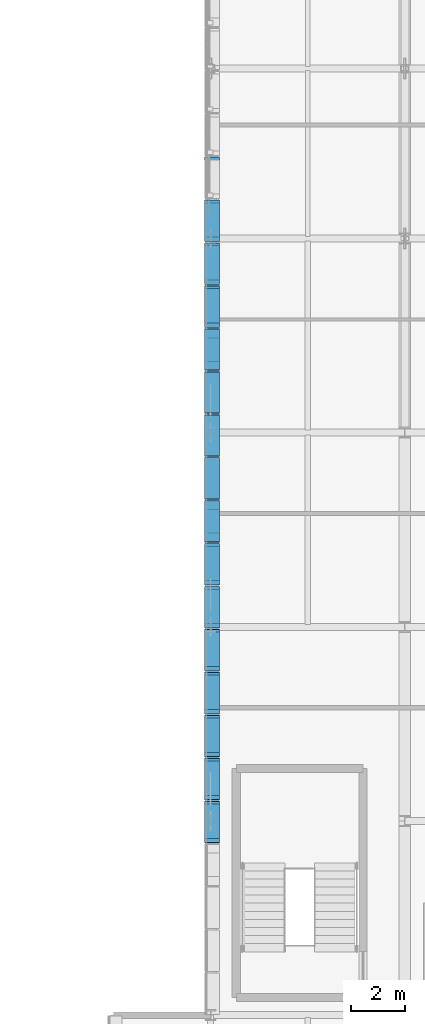
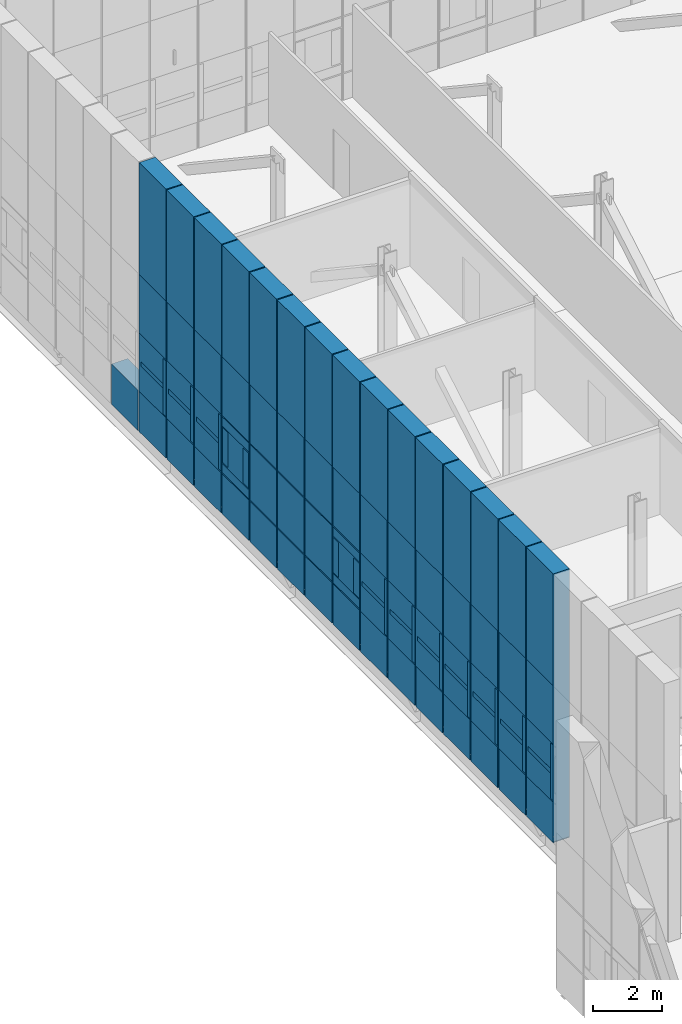
# One storey, part 117 of 144: 77 discrete accessories.
"""IFC4 building model written with IfcOpenShell, lengths in metres."""

import ifcopenshell
import ifcopenshell.guid

model = None  # the IFC model being written
_history = None  # IfcOwnerHistory: only IFC2X3 demands one
_inside = {}  # id of a spatial element -> (the spatial element, [elements in it])
_under = {}  # id of a project, library or spatial element -> (it, [spatial elements below it])
_declared = {}  # id of a project -> (the project, [libraries it declares])
_typed = {}  # id of a type object -> (the type object, [elements of that type])
_made_of = {}  # id of a material, layer set ... -> (it, [elements and type objects made of it])


def new_model(schema):
    """Start an empty IFC model of exactly this schema.

    Asked for "IFC4X3", IfcOpenShell would pick the latest addendum, in which some entities
    have other attributes; the version numbers below select the first issue.
    IFC2X3 requires an IfcOwnerHistory on every rooted entity: one is made here for all.
    """
    global model, _history
    if schema == "IFC4X3":
        model = ifcopenshell.file(schema_version=(4, 3, 0, 0))
    else:
        model = ifcopenshell.file(schema=schema)
    _inside.clear()
    _under.clear()
    _declared.clear()
    _typed.clear()
    _made_of.clear()
    _history = None
    if model.schema == "IFC2X3":
        org = make("IfcOrganization", Name="unknown")
        user = make(
            "IfcPersonAndOrganization",
            ThePerson=make("IfcPerson", FamilyName="unknown"),
            TheOrganization=org,
        )
        app = make(
            "IfcApplication",
            ApplicationDeveloper=org,
            Version="unknown",
            ApplicationFullName="unknown",
            ApplicationIdentifier="unknown",
        )
        _history = make(
            "IfcOwnerHistory",
            OwningUser=user,
            OwningApplication=app,
            ChangeAction="ADDED",
            CreationDate=0,
        )
    return model


def make(cls, **values):
    """One entity of the class cls with the attributes given. An attribute that is None is left unset."""
    return model.create_entity(
        cls, **{name: value for name, value in values.items() if value is not None}
    )


def rooted(cls, **values):
    """An entity with a GlobalId (a new one), such as an element, a storey or a relation."""
    return make(cls, GlobalId=ifcopenshell.guid.new(), OwnerHistory=_history, **values)


def si_unit(unit_type, name, prefix=None):
    """IfcSIUnit, for example si_unit("LENGTHUNIT", "METRE", prefix="MILLI")."""
    return make("IfcSIUnit", UnitType=unit_type, Prefix=prefix, Name=name)


def assignment(units):
    """IfcUnitAssignment: the units of a project."""
    return None if units is None else make("IfcUnitAssignment", Units=units)


def point(xyz):
    """IfcCartesianPoint."""
    return None if xyz is None else make("IfcCartesianPoint", Coordinates=xyz)


def direction(xyz):
    """IfcDirection."""
    return None if xyz is None else make("IfcDirection", DirectionRatios=xyz)


def frame(location, z_axis=None, x_axis=None):
    """IfcAxis2Placement3D, a coordinate frame: its origin and axes. An axis left out is left unset."""
    return make(
        "IfcAxis2Placement3D",
        Location=point(location),
        Axis=direction(z_axis),
        RefDirection=direction(x_axis),
    )


def frame_2d(location, x_axis=None):
    """IfcAxis2Placement2D, a coordinate frame in the plane: its origin and x axis."""
    return make(
        "IfcAxis2Placement2D", Location=point(location), RefDirection=direction(x_axis)
    )


def origin():
    """The frame at (0, 0, 0) with its axes left unset."""
    return frame((0.0, 0.0, 0.0))


def origin_2d():
    """The frame at (0, 0) in the plane with its x axis left unset."""
    return frame_2d((0.0, 0.0))


def place(relative_to, where):
    """IfcLocalPlacement: puts the frame where relative to a parent placement (None: the world)."""
    return make(
        "IfcLocalPlacement", PlacementRelTo=relative_to, RelativePlacement=where
    )


def context(
    kind, dimensions, precision=None, world=None, true_north=None, identifier=None
):
    """IfcGeometricRepresentationContext, for example the 3D "Model" context."""
    return make(
        "IfcGeometricRepresentationContext",
        ContextIdentifier=identifier,
        ContextType=kind,
        CoordinateSpaceDimension=dimensions,
        Precision=precision,
        WorldCoordinateSystem=world,
        TrueNorth=true_north,
    )


def subcontext(parent, identifier, kind, view, scale=None):
    """IfcGeometricRepresentationSubContext, for example "Body" below "Model"."""
    return make(
        "IfcGeometricRepresentationSubContext",
        ContextIdentifier=identifier,
        ContextType=kind,
        ParentContext=parent,
        TargetScale=scale,
        TargetView=view,
    )


def project(units=None, contexts=None):
    """IfcProject with its units and contexts."""
    return rooted(
        "IfcProject",
        Name="project",
        RepresentationContexts=contexts,
        UnitsInContext=assignment(units),
    )


def spatial(cls, under=None, at=None, **own):
    """A site, building, storey or space (cls), placed at a placement, below another one or the project."""
    s = rooted(cls, ObjectPlacement=at, **own)
    if under is not None:
        _under.setdefault(under.id(), (under, []))[1].append(s)
    return s


def profile(cls, at=None, kind="AREA", **sizes):
    """A parametric profile (cls). Its sizes go by their IFC names, for example OverallWidth=200.0."""
    return make(cls, ProfileType=kind, Position=at, **sizes)


def rectangle(**sizes):
    """IfcRectangleProfileDef."""
    return profile("IfcRectangleProfileDef", **sizes)


def extrude(swept, where, along, depth):
    """IfcExtrudedAreaSolid: the profile swept, set in the frame where, extruded along a direction by depth."""
    return make(
        "IfcExtrudedAreaSolid",
        SweptArea=swept,
        Position=where,
        ExtrudedDirection=direction(along),
        Depth=depth,
    )


def shape(context_of_items, identifier, shape_type, items):
    """IfcShapeRepresentation: the items that make up one representation, for example the "Body"."""
    return make(
        "IfcShapeRepresentation",
        ContextOfItems=context_of_items,
        RepresentationIdentifier=identifier,
        RepresentationType=shape_type,
        Items=items,
    )


def material(Name=None, Category=None):
    """IfcMaterial."""
    return make("IfcMaterial", Name=Name, Category=Category)


def made_of(thing, what):
    """Note that an element or type object is made of a material, layer set ...; save() writes the relation."""
    if what is not None:
        _made_of.setdefault(what.id(), (what, []))[1].append(thing)
    return thing


def type_object(cls, material=None, **own):
    """A type object (cls), such as IfcWallType, which elements share."""
    return made_of(rooted(cls, **own), material)


def element(
    cls,
    number,
    at=None,
    inside=None,
    cuts=None,
    type_object=None,
    material=None,
    context=None,
    identifier="Body",
    shape_type=None,
    held_by="IfcProductDefinitionShape",
    body=None,
    shapes=None,
    **own,
):
    """One element of the class cls, such as IfcWall. Its Tag is "e" and its number.

    at: its placement. inside: the storey or other place that contains it. cuts: it is an
    opening in that element (IfcRelVoidsElement). A single representation is given by context,
    identifier, shape_type and body (its items); several are given by shapes. held_by: the class
    of the entity that holds the representations. save() writes the other relations.
    """
    e = rooted(cls, Tag="e%d" % number, ObjectPlacement=at, **own)
    if body is not None:
        shapes = [shape(context, identifier, shape_type, body)]
    if shapes is not None:
        e.Representation = make(held_by, Representations=shapes)
    if inside is not None:
        _inside.setdefault(inside.id(), (inside, []))[1].append(e)
    if cuts is not None:
        rooted(
            "IfcRelVoidsElement", RelatingBuildingElement=cuts, RelatedOpeningElement=e
        )
    if type_object is not None:
        _typed.setdefault(type_object.id(), (type_object, []))[1].append(e)
    return made_of(e, material)


def aggregate(whole, parts):
    """IfcRelAggregates: a whole, such as a stair, and the parts it consists of."""
    return rooted("IfcRelAggregates", RelatingObject=whole, RelatedObjects=parts)


def save(model, path):
    """Write the relations noted so far, then the file.

    IfcRelAggregates (storeys below a building ...), IfcRelContainedInSpatialStructure (elements
    in a storey), IfcRelDefinesByType, IfcRelAssociatesMaterial and IfcRelDeclares: one each for
    every whole, place, type object, material and project.
    """
    for whole, parts in _under.values():
        aggregate(whole, parts)
    for where, things in _inside.values():
        rooted(
            "IfcRelContainedInSpatialStructure",
            RelatedElements=things,
            RelatingStructure=where,
        )
    for kind, things in _typed.values():
        rooted("IfcRelDefinesByType", RelatedObjects=things, RelatingType=kind)
    for what, things in _made_of.values():
        rooted("IfcRelAssociatesMaterial", RelatedObjects=things, RelatingMaterial=what)
    for by, libraries in _declared.values():
        rooted("IfcRelDeclares", RelatingContext=by, RelatedDefinitions=libraries)
    model.write(path)


model = new_model("IFC4")

# Units and contexts
model_context = context("Model", 3, precision=1e-05, world=origin(), true_north=direction((0.0, 1.0)))
body_context = subcontext(model_context, "Body", "Model", "MODEL_VIEW")
ifc_project = project(units=[si_unit("LENGTHUNIT", "METRE"), si_unit("AREAUNIT", "SQUARE_METRE"), si_unit("VOLUMEUNIT", "CUBIC_METRE"), si_unit("PLANEANGLEUNIT", "RADIAN"), si_unit("MASSUNIT", "GRAM", prefix="KILO")], contexts=[model_context])

# Site, building, storey
site_placement = place(None, origin())
site = spatial("IfcSite", under=ifc_project, at=site_placement, CompositionType="ELEMENT")
building_placement = place(site_placement, origin())
building = spatial("IfcBuilding", under=site, at=building_placement, Name="Yarey Park Central Fire Station", CompositionType="ELEMENT")
storey_placement = place(building_placement, frame((0.0, 0.0, 10.199951171875)))
storey = spatial("IfcBuildingStorey", under=building, at=storey_placement, Name="L03", CompositionType="ELEMENT", Elevation=10.199951171875)

# Discrete accessories
ifc_material = material(Name="Stainless Steel AISI 316L", Category="steel")
discrete_accessory_type = type_object("IfcDiscreteAccessoryType", Name="ENV_BRK_SS1", PredefinedType="BRACKET", material=ifc_material)
discrete_accessory_1_placement = place(storey_placement, frame((28.85009765625, 64.765380859375, -0.494873046875), z_axis=(0.0, 0.0, 1.0), x_axis=(1.0, 0.0, 0.0)))
element("IfcDiscreteAccessory", 1, at=discrete_accessory_1_placement, inside=storey, type_object=discrete_accessory_type, Name="BRK_PERF_L03_0627", PredefinedType="BRACKET", context=body_context, shape_type="SweptSolid", body=[
    extrude(rectangle(XDim=0.5400390625, YDim=1.5322265625, at=origin_2d()), origin(), (0.0, 0.0, 1.0), 1.419921875),
])
discrete_accessory_2_placement = place(storey_placement, frame((28.85009765625, 64.079345703125, 0.97509765625), z_axis=(0.0, 0.0, 1.0), x_axis=(1.0, 0.0, 0.0)))
element("IfcDiscreteAccessory", 2, at=discrete_accessory_2_placement, inside=storey, type_object=discrete_accessory_type, Name="BRK_PERF_L03_0628", PredefinedType="BRACKET", context=body_context, shape_type="SweptSolid", body=[
    extrude(rectangle(XDim=0.5400390625, YDim=0.159912109375, at=origin_2d()), origin(), (0.0, 0.0, 1.0), 1.949951171875),
])
discrete_accessory_3_placement = place(storey_placement, frame((28.85009765625, 64.765380859375, 1.8701171875), z_axis=(0.0, 0.0, 1.0), x_axis=(1.0, 0.0, 0.0)))
element("IfcDiscreteAccessory", 3, at=discrete_accessory_3_placement, inside=storey, type_object=discrete_accessory_type, Name="BRK_PERF_L03_0629", PredefinedType="BRACKET", context=body_context, shape_type="SweptSolid", body=[
    extrude(rectangle(XDim=0.5400390625, YDim=1.332275390625, at=origin_2d()), origin(), (0.0, 0.0, 1.0), 0.159912109375),
])
discrete_accessory_4_placement = place(storey_placement, frame((28.85009765625, 64.765380859375, 2.97509765625), z_axis=(0.0, 0.0, 1.0), x_axis=(1.0, 0.0, 0.0)))
element("IfcDiscreteAccessory", 4, at=discrete_accessory_4_placement, inside=storey, type_object=discrete_accessory_type, Name="BRK_PERF_L03_0630", PredefinedType="BRACKET", context=body_context, shape_type="SweptSolid", body=[
    extrude(rectangle(XDim=0.5400390625, YDim=1.5322265625, at=origin_2d()), origin(), (0.0, 0.0, 1.0), 2.050048828125),
])
discrete_accessory_5_placement = place(storey_placement, frame((28.85009765625, 64.765380859375, -0.4599609375), z_axis=(0.0, 0.0, 1.0), x_axis=(1.0, 0.0, 0.0)))
element("IfcDiscreteAccessory", 5, at=discrete_accessory_5_placement, inside=storey, type_object=discrete_accessory_type, Name="BRK_RAIL_L03_0633", PredefinedType="BRACKET", context=body_context, shape_type="SweptSolid", body=[
    extrude(rectangle(XDim=0.5400390625, YDim=1.55224609375, at=origin_2d()), origin(), (0.0, 0.0, 1.0), 9.419921875),
])
discrete_accessory_6_placement = place(storey_placement, frame((28.85009765625, 66.357666015625, -0.494873046875), z_axis=(0.0, 0.0, 1.0), x_axis=(1.0, 0.0, 0.0)))
element("IfcDiscreteAccessory", 6, at=discrete_accessory_6_placement, inside=storey, type_object=discrete_accessory_type, Name="BRK_PERF_L03_0634", PredefinedType="BRACKET", context=body_context, shape_type="SweptSolid", body=[
    extrude(rectangle(XDim=0.5400390625, YDim=1.5322265625, at=origin_2d()), origin(), (0.0, 0.0, 1.0), 1.419921875),
])
discrete_accessory_7_placement = place(storey_placement, frame((28.85009765625, 65.67138671875, 0.97509765625), z_axis=(0.0, 0.0, 1.0), x_axis=(1.0, 0.0, 0.0)))
element("IfcDiscreteAccessory", 7, at=discrete_accessory_7_placement, inside=storey, type_object=discrete_accessory_type, Name="BRK_PERF_L03_0635", PredefinedType="BRACKET", context=body_context, shape_type="SweptSolid", body=[
    extrude(rectangle(XDim=0.5400390625, YDim=0.159912109375, at=origin_2d()), origin(), (0.0, 0.0, 1.0), 1.949951171875),
])
discrete_accessory_8_placement = place(storey_placement, frame((28.85009765625, 66.357666015625, 1.8701171875), z_axis=(0.0, 0.0, 1.0), x_axis=(1.0, 0.0, 0.0)))
element("IfcDiscreteAccessory", 8, at=discrete_accessory_8_placement, inside=storey, type_object=discrete_accessory_type, Name="BRK_PERF_L03_0636", PredefinedType="BRACKET", context=body_context, shape_type="SweptSolid", body=[
    extrude(rectangle(XDim=0.5400390625, YDim=1.332275390625, at=origin_2d()), origin(), (0.0, 0.0, 1.0), 0.159912109375),
])
discrete_accessory_9_placement = place(storey_placement, frame((28.85009765625, 66.357666015625, 2.97509765625), z_axis=(0.0, 0.0, 1.0), x_axis=(1.0, 0.0, 0.0)))
element("IfcDiscreteAccessory", 9, at=discrete_accessory_9_placement, inside=storey, type_object=discrete_accessory_type, Name="BRK_PERF_L03_0637", PredefinedType="BRACKET", context=body_context, shape_type="SweptSolid", body=[
    extrude(rectangle(XDim=0.5400390625, YDim=1.5322265625, at=origin_2d()), origin(), (0.0, 0.0, 1.0), 2.050048828125),
])
discrete_accessory_10_placement = place(storey_placement, frame((28.85009765625, 66.357666015625, -0.4599609375), z_axis=(0.0, 0.0, 1.0), x_axis=(1.0, 0.0, 0.0)))
element("IfcDiscreteAccessory", 10, at=discrete_accessory_10_placement, inside=storey, type_object=discrete_accessory_type, Name="BRK_RAIL_L03_0640", PredefinedType="BRACKET", context=body_context, shape_type="SweptSolid", body=[
    extrude(rectangle(XDim=0.5400390625, YDim=1.55224609375, at=origin_2d()), origin(), (0.0, 0.0, 1.0), 9.419921875),
])
discrete_accessory_11_placement = place(storey_placement, frame((28.85009765625, 67.949951171875, -0.494873046875), z_axis=(0.0, 0.0, 1.0), x_axis=(1.0, 0.0, 0.0)))
element("IfcDiscreteAccessory", 11, at=discrete_accessory_11_placement, inside=storey, type_object=discrete_accessory_type, Name="BRK_PERF_L03_0641", PredefinedType="BRACKET", context=body_context, shape_type="SweptSolid", body=[
    extrude(rectangle(XDim=0.5400390625, YDim=1.5322265625, at=origin_2d()), origin(), (0.0, 0.0, 1.0), 1.419921875),
])
discrete_accessory_12_placement = place(storey_placement, frame((28.85009765625, 67.263916015625, 0.97509765625), z_axis=(0.0, 0.0, 1.0), x_axis=(1.0, 0.0, 0.0)))
element("IfcDiscreteAccessory", 12, at=discrete_accessory_12_placement, inside=storey, type_object=discrete_accessory_type, Name="BRK_PERF_L03_0642", PredefinedType="BRACKET", context=body_context, shape_type="SweptSolid", body=[
    extrude(rectangle(XDim=0.5400390625, YDim=0.159912109375, at=origin_2d()), origin(), (0.0, 0.0, 1.0), 1.949951171875),
])
discrete_accessory_13_placement = place(storey_placement, frame((28.85009765625, 67.949951171875, 1.8701171875), z_axis=(0.0, 0.0, 1.0), x_axis=(1.0, 0.0, 0.0)))
element("IfcDiscreteAccessory", 13, at=discrete_accessory_13_placement, inside=storey, type_object=discrete_accessory_type, Name="BRK_PERF_L03_0643", PredefinedType="BRACKET", context=body_context, shape_type="SweptSolid", body=[
    extrude(rectangle(XDim=0.5400390625, YDim=1.332275390625, at=origin_2d()), origin(), (0.0, 0.0, 1.0), 0.159912109375),
])
discrete_accessory_14_placement = place(storey_placement, frame((28.85009765625, 67.949951171875, 2.97509765625), z_axis=(0.0, 0.0, 1.0), x_axis=(1.0, 0.0, 0.0)))
element("IfcDiscreteAccessory", 14, at=discrete_accessory_14_placement, inside=storey, type_object=discrete_accessory_type, Name="BRK_PERF_L03_0644", PredefinedType="BRACKET", context=body_context, shape_type="SweptSolid", body=[
    extrude(rectangle(XDim=0.5400390625, YDim=1.5322265625, at=origin_2d()), origin(), (0.0, 0.0, 1.0), 2.050048828125),
])
discrete_accessory_15_placement = place(storey_placement, frame((28.85009765625, 67.949951171875, -0.4599609375), z_axis=(0.0, 0.0, 1.0), x_axis=(1.0, 0.0, 0.0)))
element("IfcDiscreteAccessory", 15, at=discrete_accessory_15_placement, inside=storey, type_object=discrete_accessory_type, Name="BRK_RAIL_L03_0647", PredefinedType="BRACKET", context=body_context, shape_type="SweptSolid", body=[
    extrude(rectangle(XDim=0.5400390625, YDim=1.55224609375, at=origin_2d()), origin(), (0.0, 0.0, 1.0), 9.419921875),
])
discrete_accessory_16_placement = place(storey_placement, frame((28.85009765625, 69.542236328125, -0.494873046875), z_axis=(0.0, 0.0, 1.0), x_axis=(1.0, 0.0, 0.0)))
element("IfcDiscreteAccessory", 16, at=discrete_accessory_16_placement, inside=storey, type_object=discrete_accessory_type, Name="BRK_PERF_L03_0648", PredefinedType="BRACKET", context=body_context, shape_type="SweptSolid", body=[
    extrude(rectangle(XDim=0.5400390625, YDim=1.5322265625, at=origin_2d()), origin(), (0.0, 0.0, 1.0), 1.419921875),
])
discrete_accessory_17_placement = place(storey_placement, frame((28.85009765625, 68.856201171875, 0.97509765625), z_axis=(0.0, 0.0, 1.0), x_axis=(1.0, 0.0, 0.0)))
element("IfcDiscreteAccessory", 17, at=discrete_accessory_17_placement, inside=storey, type_object=discrete_accessory_type, Name="BRK_PERF_L03_0649", PredefinedType="BRACKET", context=body_context, shape_type="SweptSolid", body=[
    extrude(rectangle(XDim=0.5400390625, YDim=0.159912109375, at=origin_2d()), origin(), (0.0, 0.0, 1.0), 1.949951171875),
])
discrete_accessory_18_placement = place(storey_placement, frame((28.85009765625, 69.542236328125, 1.8701171875), z_axis=(0.0, 0.0, 1.0), x_axis=(1.0, 0.0, 0.0)))
element("IfcDiscreteAccessory", 18, at=discrete_accessory_18_placement, inside=storey, type_object=discrete_accessory_type, Name="BRK_PERF_L03_0650", PredefinedType="BRACKET", context=body_context, shape_type="SweptSolid", body=[
    extrude(rectangle(XDim=0.5400390625, YDim=1.332275390625, at=origin_2d()), origin(), (0.0, 0.0, 1.0), 0.159912109375),
])
discrete_accessory_19_placement = place(storey_placement, frame((28.85009765625, 69.542236328125, 2.97509765625), z_axis=(0.0, 0.0, 1.0), x_axis=(1.0, 0.0, 0.0)))
element("IfcDiscreteAccessory", 19, at=discrete_accessory_19_placement, inside=storey, type_object=discrete_accessory_type, Name="BRK_PERF_L03_0651", PredefinedType="BRACKET", context=body_context, shape_type="SweptSolid", body=[
    extrude(rectangle(XDim=0.5400390625, YDim=1.5322265625, at=origin_2d()), origin(), (0.0, 0.0, 1.0), 2.050048828125),
])
discrete_accessory_20_placement = place(storey_placement, frame((28.85009765625, 69.542236328125, -0.4599609375), z_axis=(0.0, 0.0, 1.0), x_axis=(1.0, 0.0, 0.0)))
element("IfcDiscreteAccessory", 20, at=discrete_accessory_20_placement, inside=storey, type_object=discrete_accessory_type, Name="BRK_RAIL_L03_0654", PredefinedType="BRACKET", context=body_context, shape_type="SweptSolid", body=[
    extrude(rectangle(XDim=0.5400390625, YDim=1.55224609375, at=origin_2d()), origin(), (0.0, 0.0, 1.0), 9.419921875),
])
discrete_accessory_21_placement = place(storey_placement, frame((28.85009765625, 71.134521484375, -0.494873046875), z_axis=(0.0, 0.0, 1.0), x_axis=(1.0, 0.0, 0.0)))
element("IfcDiscreteAccessory", 21, at=discrete_accessory_21_placement, inside=storey, type_object=discrete_accessory_type, Name="BRK_PERF_L03_0655", PredefinedType="BRACKET", context=body_context, shape_type="SweptSolid", body=[
    extrude(rectangle(XDim=0.5400390625, YDim=1.5322265625, at=origin_2d()), origin(), (0.0, 0.0, 1.0), 1.419921875),
])
discrete_accessory_22_placement = place(storey_placement, frame((28.85009765625, 70.448486328125, 0.97509765625), z_axis=(0.0, 0.0, 1.0), x_axis=(1.0, 0.0, 0.0)))
element("IfcDiscreteAccessory", 22, at=discrete_accessory_22_placement, inside=storey, type_object=discrete_accessory_type, Name="BRK_PERF_L03_0656", PredefinedType="BRACKET", context=body_context, shape_type="SweptSolid", body=[
    extrude(rectangle(XDim=0.5400390625, YDim=0.159912109375, at=origin_2d()), origin(), (0.0, 0.0, 1.0), 1.949951171875),
])
discrete_accessory_23_placement = place(storey_placement, frame((28.85009765625, 71.134521484375, 1.8701171875), z_axis=(0.0, 0.0, 1.0), x_axis=(1.0, 0.0, 0.0)))
element("IfcDiscreteAccessory", 23, at=discrete_accessory_23_placement, inside=storey, type_object=discrete_accessory_type, Name="BRK_PERF_L03_0657", PredefinedType="BRACKET", context=body_context, shape_type="SweptSolid", body=[
    extrude(rectangle(XDim=0.5400390625, YDim=1.332275390625, at=origin_2d()), origin(), (0.0, 0.0, 1.0), 0.159912109375),
])
discrete_accessory_24_placement = place(storey_placement, frame((28.85009765625, 71.134521484375, 2.97509765625), z_axis=(0.0, 0.0, 1.0), x_axis=(1.0, 0.0, 0.0)))
element("IfcDiscreteAccessory", 24, at=discrete_accessory_24_placement, inside=storey, type_object=discrete_accessory_type, Name="BRK_PERF_L03_0658", PredefinedType="BRACKET", context=body_context, shape_type="SweptSolid", body=[
    extrude(rectangle(XDim=0.5400390625, YDim=1.5322265625, at=origin_2d()), origin(), (0.0, 0.0, 1.0), 2.050048828125),
])
discrete_accessory_25_placement = place(storey_placement, frame((28.85009765625, 71.134521484375, -0.4599609375), z_axis=(0.0, 0.0, 1.0), x_axis=(1.0, 0.0, 0.0)))
element("IfcDiscreteAccessory", 25, at=discrete_accessory_25_placement, inside=storey, type_object=discrete_accessory_type, Name="BRK_RAIL_L03_0661", PredefinedType="BRACKET", context=body_context, shape_type="SweptSolid", body=[
    extrude(rectangle(XDim=0.5400390625, YDim=1.55224609375, at=origin_2d()), origin(), (0.0, 0.0, 1.0), 9.419921875),
])
discrete_accessory_26_placement = place(storey_placement, frame((28.85009765625, 72.726806640625, -0.494873046875), z_axis=(0.0, 0.0, 1.0), x_axis=(1.0, 0.0, 0.0)))
element("IfcDiscreteAccessory", 26, at=discrete_accessory_26_placement, inside=storey, type_object=discrete_accessory_type, Name="BRK_PERF_L03_0662", PredefinedType="BRACKET", context=body_context, shape_type="SweptSolid", body=[
    extrude(rectangle(XDim=0.5400390625, YDim=1.5322265625, at=origin_2d()), origin(), (0.0, 0.0, 1.0), 1.419921875),
])
discrete_accessory_27_placement = place(storey_placement, frame((28.85009765625, 72.040771484375, 0.97509765625), z_axis=(0.0, 0.0, 1.0), x_axis=(1.0, 0.0, 0.0)))
element("IfcDiscreteAccessory", 27, at=discrete_accessory_27_placement, inside=storey, type_object=discrete_accessory_type, Name="BRK_PERF_L03_0663", PredefinedType="BRACKET", context=body_context, shape_type="SweptSolid", body=[
    extrude(rectangle(XDim=0.5400390625, YDim=0.159912109375, at=origin_2d()), origin(), (0.0, 0.0, 1.0), 1.949951171875),
])
discrete_accessory_28_placement = place(storey_placement, frame((28.85009765625, 72.726806640625, 1.8701171875), z_axis=(0.0, 0.0, 1.0), x_axis=(1.0, 0.0, 0.0)))
element("IfcDiscreteAccessory", 28, at=discrete_accessory_28_placement, inside=storey, type_object=discrete_accessory_type, Name="BRK_PERF_L03_0664", PredefinedType="BRACKET", context=body_context, shape_type="SweptSolid", body=[
    extrude(rectangle(XDim=0.5400390625, YDim=1.332275390625, at=origin_2d()), origin(), (0.0, 0.0, 1.0), 0.159912109375),
])
discrete_accessory_29_placement = place(storey_placement, frame((28.85009765625, 72.726806640625, 2.97509765625), z_axis=(0.0, 0.0, 1.0), x_axis=(1.0, 0.0, 0.0)))
element("IfcDiscreteAccessory", 29, at=discrete_accessory_29_placement, inside=storey, type_object=discrete_accessory_type, Name="BRK_PERF_L03_0665", PredefinedType="BRACKET", context=body_context, shape_type="SweptSolid", body=[
    extrude(rectangle(XDim=0.5400390625, YDim=1.5322265625, at=origin_2d()), origin(), (0.0, 0.0, 1.0), 2.050048828125),
])
discrete_accessory_30_placement = place(storey_placement, frame((28.85009765625, 72.726806640625, -0.4599609375), z_axis=(0.0, 0.0, 1.0), x_axis=(1.0, 0.0, 0.0)))
element("IfcDiscreteAccessory", 30, at=discrete_accessory_30_placement, inside=storey, type_object=discrete_accessory_type, Name="BRK_RAIL_L03_0668", PredefinedType="BRACKET", context=body_context, shape_type="SweptSolid", body=[
    extrude(rectangle(XDim=0.5400390625, YDim=1.55224609375, at=origin_2d()), origin(), (0.0, 0.0, 1.0), 9.419921875),
])
discrete_accessory_31_placement = place(storey_placement, frame((28.85009765625, 74.319091796875, -0.494873046875), z_axis=(0.0, 0.0, 1.0), x_axis=(1.0, 0.0, 0.0)))
element("IfcDiscreteAccessory", 31, at=discrete_accessory_31_placement, inside=storey, type_object=discrete_accessory_type, Name="BRK_PERF_L03_0669", PredefinedType="BRACKET", context=body_context, shape_type="SweptSolid", body=[
    extrude(rectangle(XDim=0.5400390625, YDim=1.5322265625, at=origin_2d()), origin(), (0.0, 0.0, 1.0), 1.419921875),
])
discrete_accessory_32_placement = place(storey_placement, frame((28.85009765625, 73.633056640625, 0.97509765625), z_axis=(0.0, 0.0, 1.0), x_axis=(1.0, 0.0, 0.0)))
element("IfcDiscreteAccessory", 32, at=discrete_accessory_32_placement, inside=storey, type_object=discrete_accessory_type, Name="BRK_PERF_L03_0670", PredefinedType="BRACKET", context=body_context, shape_type="SweptSolid", body=[
    extrude(rectangle(XDim=0.5400390625, YDim=0.159912109375, at=origin_2d()), origin(), (0.0, 0.0, 1.0), 1.949951171875),
])
discrete_accessory_33_placement = place(storey_placement, frame((28.85009765625, 74.319091796875, 1.8701171875), z_axis=(0.0, 0.0, 1.0), x_axis=(1.0, 0.0, 0.0)))
element("IfcDiscreteAccessory", 33, at=discrete_accessory_33_placement, inside=storey, type_object=discrete_accessory_type, Name="BRK_PERF_L03_0671", PredefinedType="BRACKET", context=body_context, shape_type="SweptSolid", body=[
    extrude(rectangle(XDim=0.5400390625, YDim=1.332275390625, at=origin_2d()), origin(), (0.0, 0.0, 1.0), 0.159912109375),
])
discrete_accessory_34_placement = place(storey_placement, frame((28.85009765625, 74.319091796875, 2.97509765625), z_axis=(0.0, 0.0, 1.0), x_axis=(1.0, 0.0, 0.0)))
element("IfcDiscreteAccessory", 34, at=discrete_accessory_34_placement, inside=storey, type_object=discrete_accessory_type, Name="BRK_PERF_L03_0672", PredefinedType="BRACKET", context=body_context, shape_type="SweptSolid", body=[
    extrude(rectangle(XDim=0.5400390625, YDim=1.5322265625, at=origin_2d()), origin(), (0.0, 0.0, 1.0), 2.050048828125),
])
discrete_accessory_35_placement = place(storey_placement, frame((28.85009765625, 74.319091796875, -0.4599609375), z_axis=(0.0, 0.0, 1.0), x_axis=(1.0, 0.0, 0.0)))
element("IfcDiscreteAccessory", 35, at=discrete_accessory_35_placement, inside=storey, type_object=discrete_accessory_type, Name="BRK_RAIL_L03_0675", PredefinedType="BRACKET", context=body_context, shape_type="SweptSolid", body=[
    extrude(rectangle(XDim=0.5400390625, YDim=1.55224609375, at=origin_2d()), origin(), (0.0, 0.0, 1.0), 9.419921875),
])
discrete_accessory_36_placement = place(storey_placement, frame((28.85009765625, 75.91162109375, -0.494873046875), z_axis=(0.0, 0.0, 1.0), x_axis=(1.0, 0.0, 0.0)))
element("IfcDiscreteAccessory", 36, at=discrete_accessory_36_placement, inside=storey, type_object=discrete_accessory_type, Name="BRK_PERF_L03_0676", PredefinedType="BRACKET", context=body_context, shape_type="SweptSolid", body=[
    extrude(rectangle(XDim=0.5400390625, YDim=1.5322265625, at=origin_2d()), origin(), (0.0, 0.0, 1.0), 1.419921875),
])
for number, where, z_axis, x_axis, name in (
    (37, (28.85009765625, 75.91162109375, 0.97021484375), (0.0, 0.0, 1.0), (1.0, 0.0, 0.0), "BRK_PERF_L03_0677"),
    (38, (28.85009765625, 75.91162109375, 2.60986328125), (0.0, 0.0, 1.0), (1.0, 0.0, 0.0), "BRK_PERF_L03_0678"),
):
    element("IfcDiscreteAccessory", number, at=place(storey_placement, frame(where, z_axis=z_axis, x_axis=x_axis)), inside=storey, type_object=discrete_accessory_type, Name=name, PredefinedType="BRACKET", context=body_context, shape_type="SweptSolid", body=[
        extrude(rectangle(XDim=0.5400390625, YDim=1.5322265625, at=origin_2d()), origin(), (0.0, 0.0, 1.0), 0.320068359375),
    ])
for number, where, z_axis, x_axis, name in (
    (39, (28.85009765625, 75.3154296875, 1.3349609375), (0.0, 0.0, 1.0), (1.0, 0.0, 0.0), "BRK_PERF_L03_0679"),
    (40, (28.85009765625, 76.507568359375, 1.3349609375), (0.0, 0.0, 1.0), (1.0, 0.0, 0.0), "BRK_PERF_L03_0680"),
):
    element("IfcDiscreteAccessory", number, at=place(storey_placement, frame(where, z_axis=z_axis, x_axis=x_axis)), inside=storey, type_object=discrete_accessory_type, Name=name, PredefinedType="BRACKET", context=body_context, shape_type="SweptSolid", body=[
        extrude(rectangle(XDim=0.5400390625, YDim=0.320068359375, at=origin_2d()), origin(), (0.0, 0.0, 1.0), 1.22998046875),
    ])
discrete_accessory_37_placement = place(storey_placement, frame((28.85009765625, 75.91162109375, 2.97509765625), z_axis=(0.0, 0.0, 1.0), x_axis=(1.0, 0.0, 0.0)))
element("IfcDiscreteAccessory", 41, at=discrete_accessory_37_placement, inside=storey, type_object=discrete_accessory_type, Name="BRK_PERF_L03_0681", PredefinedType="BRACKET", context=body_context, shape_type="SweptSolid", body=[
    extrude(rectangle(XDim=0.5400390625, YDim=1.5322265625, at=origin_2d()), origin(), (0.0, 0.0, 1.0), 2.050048828125),
])
discrete_accessory_38_placement = place(storey_placement, frame((28.85009765625, 75.91162109375, -0.4599609375), z_axis=(0.0, 0.0, 1.0), x_axis=(1.0, 0.0, 0.0)))
element("IfcDiscreteAccessory", 42, at=discrete_accessory_38_placement, inside=storey, type_object=discrete_accessory_type, Name="BRK_RAIL_L03_0686", PredefinedType="BRACKET", context=body_context, shape_type="SweptSolid", body=[
    extrude(rectangle(XDim=0.5400390625, YDim=1.55224609375, at=origin_2d()), origin(), (0.0, 0.0, 1.0), 9.419921875),
])
discrete_accessory_39_placement = place(storey_placement, frame((28.85009765625, 77.50390625, -0.494873046875), z_axis=(0.0, 0.0, 1.0), x_axis=(1.0, 0.0, 0.0)))
element("IfcDiscreteAccessory", 43, at=discrete_accessory_39_placement, inside=storey, type_object=discrete_accessory_type, Name="BRK_PERF_L03_0687", PredefinedType="BRACKET", context=body_context, shape_type="SweptSolid", body=[
    extrude(rectangle(XDim=0.5400390625, YDim=1.5322265625, at=origin_2d()), origin(), (0.0, 0.0, 1.0), 1.419921875),
])
discrete_accessory_40_placement = place(storey_placement, frame((28.85009765625, 77.50390625, 0.97509765625), z_axis=(0.0, 0.0, 1.0), x_axis=(1.0, 0.0, 0.0)))
element("IfcDiscreteAccessory", 44, at=discrete_accessory_40_placement, inside=storey, type_object=discrete_accessory_type, Name="BRK_PERF_L03_0688", PredefinedType="BRACKET", context=body_context, shape_type="SweptSolid", body=[
    extrude(rectangle(XDim=0.5400390625, YDim=1.5322265625, at=origin_2d()), origin(), (0.0, 0.0, 1.0), 1.949951171875),
])
discrete_accessory_41_placement = place(storey_placement, frame((28.85009765625, 77.50390625, 2.97509765625), z_axis=(0.0, 0.0, 1.0), x_axis=(1.0, 0.0, 0.0)))
element("IfcDiscreteAccessory", 45, at=discrete_accessory_41_placement, inside=storey, type_object=discrete_accessory_type, Name="BRK_PERF_L03_0689", PredefinedType="BRACKET", context=body_context, shape_type="SweptSolid", body=[
    extrude(rectangle(XDim=0.5400390625, YDim=1.5322265625, at=origin_2d()), origin(), (0.0, 0.0, 1.0), 2.050048828125),
])
discrete_accessory_42_placement = place(storey_placement, frame((28.85009765625, 77.50390625, -0.4599609375), z_axis=(0.0, 0.0, 1.0), x_axis=(1.0, 0.0, 0.0)))
element("IfcDiscreteAccessory", 46, at=discrete_accessory_42_placement, inside=storey, type_object=discrete_accessory_type, Name="BRK_RAIL_L03_0691", PredefinedType="BRACKET", context=body_context, shape_type="SweptSolid", body=[
    extrude(rectangle(XDim=0.5400390625, YDim=1.55224609375, at=origin_2d()), origin(), (0.0, 0.0, 1.0), 9.419921875),
])
discrete_accessory_43_placement = place(storey_placement, frame((28.85009765625, 79.09619140625, -0.494873046875), z_axis=(0.0, 0.0, 1.0), x_axis=(1.0, 0.0, 0.0)))
element("IfcDiscreteAccessory", 47, at=discrete_accessory_43_placement, inside=storey, type_object=discrete_accessory_type, Name="BRK_PERF_L03_0692", PredefinedType="BRACKET", context=body_context, shape_type="SweptSolid", body=[
    extrude(rectangle(XDim=0.5400390625, YDim=1.5322265625, at=origin_2d()), origin(), (0.0, 0.0, 1.0), 1.419921875),
])
discrete_accessory_44_placement = place(storey_placement, frame((28.85009765625, 79.09619140625, 0.97509765625), z_axis=(0.0, 0.0, 1.0), x_axis=(1.0, 0.0, 0.0)))
element("IfcDiscreteAccessory", 48, at=discrete_accessory_44_placement, inside=storey, type_object=discrete_accessory_type, Name="BRK_PERF_L03_0693", PredefinedType="BRACKET", context=body_context, shape_type="SweptSolid", body=[
    extrude(rectangle(XDim=0.5400390625, YDim=1.5322265625, at=origin_2d()), origin(), (0.0, 0.0, 1.0), 1.949951171875),
])
discrete_accessory_45_placement = place(storey_placement, frame((28.85009765625, 79.09619140625, 2.97509765625), z_axis=(0.0, 0.0, 1.0), x_axis=(1.0, 0.0, 0.0)))
element("IfcDiscreteAccessory", 49, at=discrete_accessory_45_placement, inside=storey, type_object=discrete_accessory_type, Name="BRK_PERF_L03_0694", PredefinedType="BRACKET", context=body_context, shape_type="SweptSolid", body=[
    extrude(rectangle(XDim=0.5400390625, YDim=1.5322265625, at=origin_2d()), origin(), (0.0, 0.0, 1.0), 2.050048828125),
])
discrete_accessory_46_placement = place(storey_placement, frame((28.85009765625, 79.09619140625, -0.4599609375), z_axis=(0.0, 0.0, 1.0), x_axis=(1.0, 0.0, 0.0)))
element("IfcDiscreteAccessory", 50, at=discrete_accessory_46_placement, inside=storey, type_object=discrete_accessory_type, Name="BRK_RAIL_L03_0696", PredefinedType="BRACKET", context=body_context, shape_type="SweptSolid", body=[
    extrude(rectangle(XDim=0.5400390625, YDim=1.55224609375, at=origin_2d()), origin(), (0.0, 0.0, 1.0), 9.419921875),
])
discrete_accessory_47_placement = place(storey_placement, frame((28.85009765625, 80.6884765625, -0.494873046875), z_axis=(0.0, 0.0, 1.0), x_axis=(1.0, 0.0, 0.0)))
element("IfcDiscreteAccessory", 51, at=discrete_accessory_47_placement, inside=storey, type_object=discrete_accessory_type, Name="BRK_PERF_L03_0697", PredefinedType="BRACKET", context=body_context, shape_type="SweptSolid", body=[
    extrude(rectangle(XDim=0.5400390625, YDim=1.5322265625, at=origin_2d()), origin(), (0.0, 0.0, 1.0), 1.419921875),
])
discrete_accessory_48_placement = place(storey_placement, frame((28.85009765625, 80.6884765625, 0.97509765625), z_axis=(0.0, 0.0, 1.0), x_axis=(1.0, 0.0, 0.0)))
element("IfcDiscreteAccessory", 52, at=discrete_accessory_48_placement, inside=storey, type_object=discrete_accessory_type, Name="BRK_PERF_L03_0698", PredefinedType="BRACKET", context=body_context, shape_type="SweptSolid", body=[
    extrude(rectangle(XDim=0.5400390625, YDim=1.5322265625, at=origin_2d()), origin(), (0.0, 0.0, 1.0), 1.949951171875),
])
discrete_accessory_49_placement = place(storey_placement, frame((28.85009765625, 80.6884765625, 2.97509765625), z_axis=(0.0, 0.0, 1.0), x_axis=(1.0, 0.0, 0.0)))
element("IfcDiscreteAccessory", 53, at=discrete_accessory_49_placement, inside=storey, type_object=discrete_accessory_type, Name="BRK_PERF_L03_0699", PredefinedType="BRACKET", context=body_context, shape_type="SweptSolid", body=[
    extrude(rectangle(XDim=0.5400390625, YDim=1.5322265625, at=origin_2d()), origin(), (0.0, 0.0, 1.0), 2.050048828125),
])
discrete_accessory_50_placement = place(storey_placement, frame((28.85009765625, 80.6884765625, -0.4599609375), z_axis=(0.0, 0.0, 1.0), x_axis=(1.0, 0.0, 0.0)))
element("IfcDiscreteAccessory", 54, at=discrete_accessory_50_placement, inside=storey, type_object=discrete_accessory_type, Name="BRK_RAIL_L03_0701", PredefinedType="BRACKET", context=body_context, shape_type="SweptSolid", body=[
    extrude(rectangle(XDim=0.5400390625, YDim=1.55224609375, at=origin_2d()), origin(), (0.0, 0.0, 1.0), 9.419921875),
])
discrete_accessory_51_placement = place(storey_placement, frame((28.85009765625, 82.28076171875, -0.494873046875), z_axis=(0.0, 0.0, 1.0), x_axis=(1.0, 0.0, 0.0)))
element("IfcDiscreteAccessory", 55, at=discrete_accessory_51_placement, inside=storey, type_object=discrete_accessory_type, Name="BRK_PERF_L03_0702", PredefinedType="BRACKET", context=body_context, shape_type="SweptSolid", body=[
    extrude(rectangle(XDim=0.5400390625, YDim=1.5322265625, at=origin_2d()), origin(), (0.0, 0.0, 1.0), 1.419921875),
])
for number, where, z_axis, x_axis, name in (
    (56, (28.85009765625, 82.28076171875, 0.97021484375), (0.0, 0.0, 1.0), (1.0, 0.0, 0.0), "BRK_PERF_L03_0703"),
    (57, (28.85009765625, 82.28076171875, 2.60986328125), (0.0, 0.0, 1.0), (1.0, 0.0, 0.0), "BRK_PERF_L03_0704"),
):
    element("IfcDiscreteAccessory", number, at=place(storey_placement, frame(where, z_axis=z_axis, x_axis=x_axis)), inside=storey, type_object=discrete_accessory_type, Name=name, PredefinedType="BRACKET", context=body_context, shape_type="SweptSolid", body=[
        extrude(rectangle(XDim=0.5400390625, YDim=1.5322265625, at=origin_2d()), origin(), (0.0, 0.0, 1.0), 0.320068359375),
    ])
for number, where, z_axis, x_axis, name in (
    (58, (28.85009765625, 81.684814453125, 1.3349609375), (0.0, 0.0, 1.0), (1.0, 0.0, 0.0), "BRK_PERF_L03_0705"),
    (59, (28.85009765625, 82.876953125, 1.3349609375), (0.0, 0.0, 1.0), (1.0, 0.0, 0.0), "BRK_PERF_L03_0706"),
):
    element("IfcDiscreteAccessory", number, at=place(storey_placement, frame(where, z_axis=z_axis, x_axis=x_axis)), inside=storey, type_object=discrete_accessory_type, Name=name, PredefinedType="BRACKET", context=body_context, shape_type="SweptSolid", body=[
        extrude(rectangle(XDim=0.5400390625, YDim=0.320068359375, at=origin_2d()), origin(), (0.0, 0.0, 1.0), 1.22998046875),
    ])
discrete_accessory_52_placement = place(storey_placement, frame((28.85009765625, 82.28076171875, 2.97509765625), z_axis=(0.0, 0.0, 1.0), x_axis=(1.0, 0.0, 0.0)))
element("IfcDiscreteAccessory", 60, at=discrete_accessory_52_placement, inside=storey, type_object=discrete_accessory_type, Name="BRK_PERF_L03_0707", PredefinedType="BRACKET", context=body_context, shape_type="SweptSolid", body=[
    extrude(rectangle(XDim=0.5400390625, YDim=1.5322265625, at=origin_2d()), origin(), (0.0, 0.0, 1.0), 2.050048828125),
])
discrete_accessory_53_placement = place(storey_placement, frame((28.85009765625, 82.28076171875, -0.4599609375), z_axis=(0.0, 0.0, 1.0), x_axis=(1.0, 0.0, 0.0)))
element("IfcDiscreteAccessory", 61, at=discrete_accessory_53_placement, inside=storey, type_object=discrete_accessory_type, Name="BRK_RAIL_L03_0712", PredefinedType="BRACKET", context=body_context, shape_type="SweptSolid", body=[
    extrude(rectangle(XDim=0.5400390625, YDim=1.55224609375, at=origin_2d()), origin(), (0.0, 0.0, 1.0), 9.419921875),
])
discrete_accessory_54_placement = place(storey_placement, frame((28.85009765625, 83.873046875, -0.494873046875), z_axis=(0.0, 0.0, 1.0), x_axis=(1.0, 0.0, 0.0)))
element("IfcDiscreteAccessory", 62, at=discrete_accessory_54_placement, inside=storey, type_object=discrete_accessory_type, Name="BRK_PERF_L03_0713", PredefinedType="BRACKET", context=body_context, shape_type="SweptSolid", body=[
    extrude(rectangle(XDim=0.5400390625, YDim=1.5322265625, at=origin_2d()), origin(), (0.0, 0.0, 1.0), 1.419921875),
])
discrete_accessory_55_placement = place(storey_placement, frame((28.85009765625, 83.18701171875, 0.97509765625), z_axis=(0.0, 0.0, 1.0), x_axis=(1.0, 0.0, 0.0)))
element("IfcDiscreteAccessory", 63, at=discrete_accessory_55_placement, inside=storey, type_object=discrete_accessory_type, Name="BRK_PERF_L03_0714", PredefinedType="BRACKET", context=body_context, shape_type="SweptSolid", body=[
    extrude(rectangle(XDim=0.5400390625, YDim=0.159912109375, at=origin_2d()), origin(), (0.0, 0.0, 1.0), 1.949951171875),
])
discrete_accessory_56_placement = place(storey_placement, frame((28.85009765625, 83.873046875, 1.8701171875), z_axis=(0.0, 0.0, 1.0), x_axis=(1.0, 0.0, 0.0)))
element("IfcDiscreteAccessory", 64, at=discrete_accessory_56_placement, inside=storey, type_object=discrete_accessory_type, Name="BRK_PERF_L03_0715", PredefinedType="BRACKET", context=body_context, shape_type="SweptSolid", body=[
    extrude(rectangle(XDim=0.5400390625, YDim=1.332275390625, at=origin_2d()), origin(), (0.0, 0.0, 1.0), 0.159912109375),
])
discrete_accessory_57_placement = place(storey_placement, frame((28.85009765625, 83.873046875, 2.97509765625), z_axis=(0.0, 0.0, 1.0), x_axis=(1.0, 0.0, 0.0)))
element("IfcDiscreteAccessory", 65, at=discrete_accessory_57_placement, inside=storey, type_object=discrete_accessory_type, Name="BRK_PERF_L03_0716", PredefinedType="BRACKET", context=body_context, shape_type="SweptSolid", body=[
    extrude(rectangle(XDim=0.5400390625, YDim=1.5322265625, at=origin_2d()), origin(), (0.0, 0.0, 1.0), 2.050048828125),
])
discrete_accessory_58_placement = place(storey_placement, frame((28.85009765625, 83.873046875, -0.4599609375), z_axis=(0.0, 0.0, 1.0), x_axis=(1.0, 0.0, 0.0)))
element("IfcDiscreteAccessory", 66, at=discrete_accessory_58_placement, inside=storey, type_object=discrete_accessory_type, Name="BRK_RAIL_L03_0719", PredefinedType="BRACKET", context=body_context, shape_type="SweptSolid", body=[
    extrude(rectangle(XDim=0.5400390625, YDim=1.55224609375, at=origin_2d()), origin(), (0.0, 0.0, 1.0), 9.419921875),
])
discrete_accessory_59_placement = place(storey_placement, frame((28.85009765625, 85.46533203125, -0.494873046875), z_axis=(0.0, 0.0, 1.0), x_axis=(1.0, 0.0, 0.0)))
element("IfcDiscreteAccessory", 67, at=discrete_accessory_59_placement, inside=storey, type_object=discrete_accessory_type, Name="BRK_PERF_L03_0720", PredefinedType="BRACKET", context=body_context, shape_type="SweptSolid", body=[
    extrude(rectangle(XDim=0.5400390625, YDim=1.5322265625, at=origin_2d()), origin(), (0.0, 0.0, 1.0), 1.419921875),
])
discrete_accessory_60_placement = place(storey_placement, frame((28.85009765625, 84.779296875, 0.97509765625), z_axis=(0.0, 0.0, 1.0), x_axis=(1.0, 0.0, 0.0)))
element("IfcDiscreteAccessory", 68, at=discrete_accessory_60_placement, inside=storey, type_object=discrete_accessory_type, Name="BRK_PERF_L03_0721", PredefinedType="BRACKET", context=body_context, shape_type="SweptSolid", body=[
    extrude(rectangle(XDim=0.5400390625, YDim=0.159912109375, at=origin_2d()), origin(), (0.0, 0.0, 1.0), 1.949951171875),
])
discrete_accessory_61_placement = place(storey_placement, frame((28.85009765625, 85.46533203125, 1.8701171875), z_axis=(0.0, 0.0, 1.0), x_axis=(1.0, 0.0, 0.0)))
element("IfcDiscreteAccessory", 69, at=discrete_accessory_61_placement, inside=storey, type_object=discrete_accessory_type, Name="BRK_PERF_L03_0722", PredefinedType="BRACKET", context=body_context, shape_type="SweptSolid", body=[
    extrude(rectangle(XDim=0.5400390625, YDim=1.332275390625, at=origin_2d()), origin(), (0.0, 0.0, 1.0), 0.159912109375),
])
discrete_accessory_62_placement = place(storey_placement, frame((28.85009765625, 85.46533203125, 2.97509765625), z_axis=(0.0, 0.0, 1.0), x_axis=(1.0, 0.0, 0.0)))
element("IfcDiscreteAccessory", 70, at=discrete_accessory_62_placement, inside=storey, type_object=discrete_accessory_type, Name="BRK_PERF_L03_0723", PredefinedType="BRACKET", context=body_context, shape_type="SweptSolid", body=[
    extrude(rectangle(XDim=0.5400390625, YDim=1.5322265625, at=origin_2d()), origin(), (0.0, 0.0, 1.0), 2.050048828125),
])
discrete_accessory_63_placement = place(storey_placement, frame((28.85009765625, 85.46533203125, -0.4599609375), z_axis=(0.0, 0.0, 1.0), x_axis=(1.0, 0.0, 0.0)))
element("IfcDiscreteAccessory", 71, at=discrete_accessory_63_placement, inside=storey, type_object=discrete_accessory_type, Name="BRK_RAIL_L03_0726", PredefinedType="BRACKET", context=body_context, shape_type="SweptSolid", body=[
    extrude(rectangle(XDim=0.5400390625, YDim=1.55224609375, at=origin_2d()), origin(), (0.0, 0.0, 1.0), 9.419921875),
])
discrete_accessory_64_placement = place(storey_placement, frame((28.85009765625, 87.0576171875, -0.494873046875), z_axis=(0.0, 0.0, 1.0), x_axis=(1.0, 0.0, 0.0)))
element("IfcDiscreteAccessory", 72, at=discrete_accessory_64_placement, inside=storey, type_object=discrete_accessory_type, Name="BRK_PERF_L03_0727", PredefinedType="BRACKET", context=body_context, shape_type="SweptSolid", body=[
    extrude(rectangle(XDim=0.5400390625, YDim=1.5322265625, at=origin_2d()), origin(), (0.0, 0.0, 1.0), 1.419921875),
])
discrete_accessory_65_placement = place(storey_placement, frame((28.85009765625, 86.37158203125, 0.97509765625), z_axis=(0.0, 0.0, 1.0), x_axis=(1.0, 0.0, 0.0)))
element("IfcDiscreteAccessory", 73, at=discrete_accessory_65_placement, inside=storey, type_object=discrete_accessory_type, Name="BRK_PERF_L03_0728", PredefinedType="BRACKET", context=body_context, shape_type="SweptSolid", body=[
    extrude(rectangle(XDim=0.5400390625, YDim=0.159912109375, at=origin_2d()), origin(), (0.0, 0.0, 1.0), 1.949951171875),
])
discrete_accessory_66_placement = place(storey_placement, frame((28.85009765625, 87.0576171875, 1.8701171875), z_axis=(0.0, 0.0, 1.0), x_axis=(1.0, 0.0, 0.0)))
element("IfcDiscreteAccessory", 74, at=discrete_accessory_66_placement, inside=storey, type_object=discrete_accessory_type, Name="BRK_PERF_L03_0729", PredefinedType="BRACKET", context=body_context, shape_type="SweptSolid", body=[
    extrude(rectangle(XDim=0.5400390625, YDim=1.332275390625, at=origin_2d()), origin(), (0.0, 0.0, 1.0), 0.159912109375),
])
discrete_accessory_67_placement = place(storey_placement, frame((28.85009765625, 87.0576171875, 2.97509765625), z_axis=(0.0, 0.0, 1.0), x_axis=(1.0, 0.0, 0.0)))
element("IfcDiscreteAccessory", 75, at=discrete_accessory_67_placement, inside=storey, type_object=discrete_accessory_type, Name="BRK_PERF_L03_0730", PredefinedType="BRACKET", context=body_context, shape_type="SweptSolid", body=[
    extrude(rectangle(XDim=0.5400390625, YDim=1.5322265625, at=origin_2d()), origin(), (0.0, 0.0, 1.0), 2.050048828125),
])
discrete_accessory_68_placement = place(storey_placement, frame((28.85009765625, 87.0576171875, -0.4599609375), z_axis=(0.0, 0.0, 1.0), x_axis=(1.0, 0.0, 0.0)))
element("IfcDiscreteAccessory", 76, at=discrete_accessory_68_placement, inside=storey, type_object=discrete_accessory_type, Name="BRK_RAIL_L03_0733", PredefinedType="BRACKET", context=body_context, shape_type="SweptSolid", body=[
    extrude(rectangle(XDim=0.5400390625, YDim=1.55224609375, at=origin_2d()), origin(), (0.0, 0.0, 1.0), 9.419921875),
])
discrete_accessory_69_placement = place(storey_placement, frame((28.85009765625, 88.64990234375, -0.494873046875), z_axis=(0.0, 0.0, 1.0), x_axis=(1.0, 0.0, 0.0)))
element("IfcDiscreteAccessory", 77, at=discrete_accessory_69_placement, inside=storey, type_object=discrete_accessory_type, Name="BRK_PERF_L03_0734", PredefinedType="BRACKET", context=body_context, shape_type="SweptSolid", body=[
    extrude(rectangle(XDim=0.5400390625, YDim=1.5322265625, at=origin_2d()), origin(), (0.0, 0.0, 1.0), 1.419921875),
])

save(model, "model.ifc")
